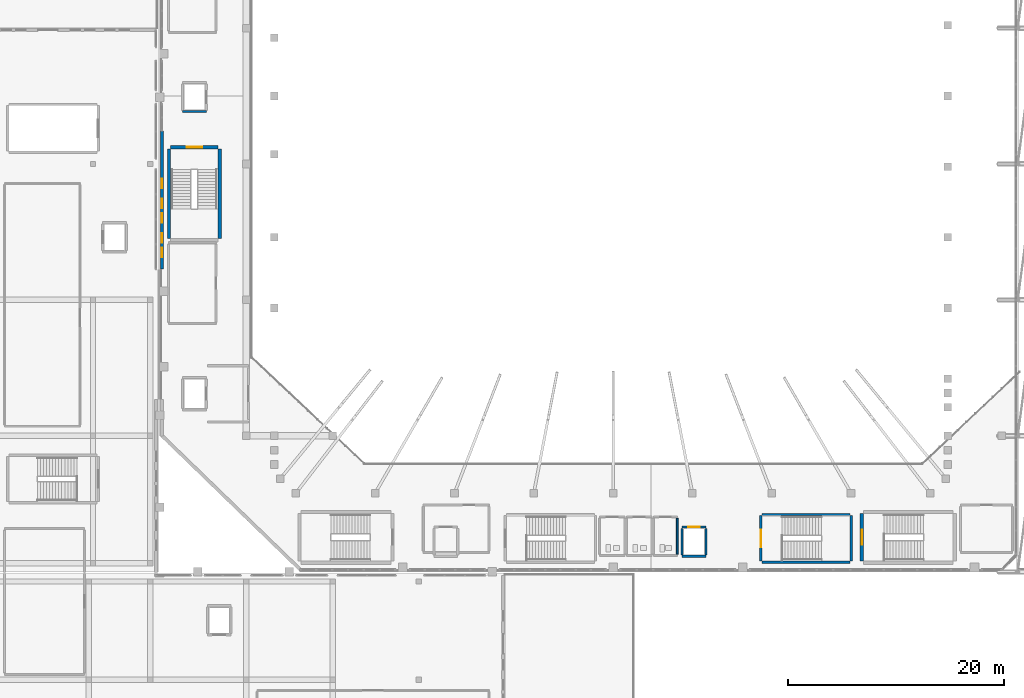
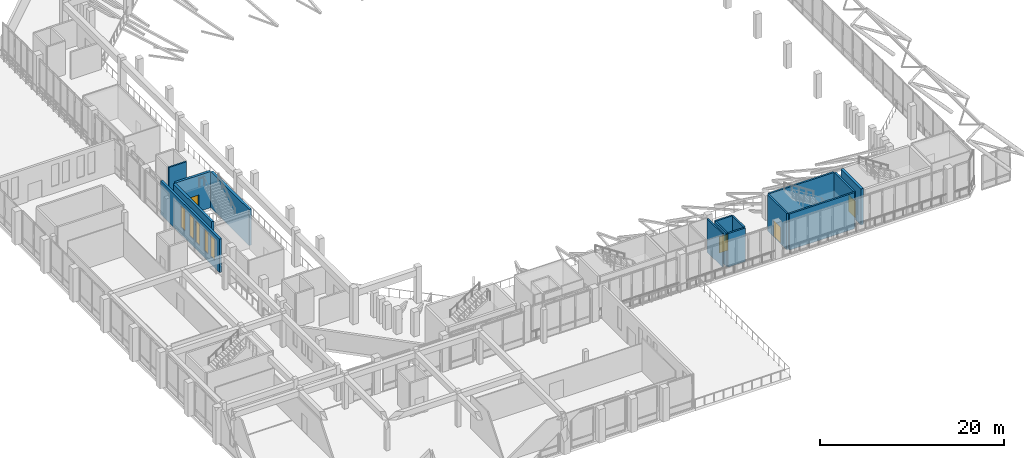
# One storey, part 57 of 79: 15 walls, 5 windows, 4 doors, 9 openings.
"""IFC4 building model written with IfcOpenShell, lengths in metres."""

from ifc_helpers import new_model, si_unit, derived_unit, direction, frame, frame_2d, origin, place, context, subcontext, project, spatial, rectangle, extrude, material, layer, layer_set, type_object, element, fill, save


model = new_model("IFC4")

# Units and contexts
model_context = context("Model", 3, precision=1e-05, world=origin(), true_north=direction((0.0, 1.0)))
body_context = subcontext(model_context, "Body", "Model", "MODEL_VIEW")
ifc_project = project(units=[si_unit("LENGTHUNIT", "METRE"), si_unit("AREAUNIT", "SQUARE_METRE"), si_unit("VOLUMEUNIT", "CUBIC_METRE"), si_unit("PLANEANGLEUNIT", "RADIAN"), si_unit("MASSUNIT", "GRAM", prefix="KILO"), derived_unit("THERMALTRANSMITTANCEUNIT", [(si_unit("MASSUNIT", "GRAM", prefix="KILO"), 1), (si_unit("TIMEUNIT", "SECOND"), -3), (si_unit("THERMODYNAMICTEMPERATUREUNIT", "KELVIN"), -1)])], contexts=[model_context])

# Site, building, storey
site_placement = place(None, origin())
site = spatial("IfcSite", under=ifc_project, at=site_placement, CompositionType="ELEMENT")
building_placement = place(site_placement, origin())
building = spatial("IfcBuilding", under=site, at=building_placement, Name="Valcora Ridge Arena", CompositionType="ELEMENT")
storey_placement = place(building_placement, frame((0.0, 0.0, 16.199951171875)))
storey = spatial("IfcBuildingStorey", under=building, at=storey_placement, Name="L03", CompositionType="ELEMENT", Elevation=16.199951171875)

# Wall, openings, windows
ifc_material_1 = material(Name="Bush-hammered Andean travertine on concrete backup C40/50", Category="masonry")
ifc_layer_1 = layer(ifc_material_1, 0.280029296875, Name="Bush-hammered Andean travertine on concrete backup C40/50")
ifc_layer_set_1 = layer_set([ifc_layer_1], Name="Bush-hammered Andean travertine on concrete backup C40/50")
wall_type_1 = type_object("IfcWallType", Name="TY-WALL-EW-TRV-28-44", PredefinedType="STANDARD", material=ifc_layer_set_1)
wall_1_placement = place(storey_placement, frame((16.199951171875, 48.050048828125, 0.0), z_axis=(0.0, 0.0, 1.0), x_axis=(0.0, 1.0, 0.0)))
wall_1 = element("IfcWall", 1, at=wall_1_placement, inside=storey, type_object=wall_type_1, Name="EW-TRV-28-44 WAL-EW-0054", PredefinedType="STANDARD", context=body_context, shape_type="SweptSolid", body=[
    extrude(rectangle(XDim=12.800048828125, YDim=0.280029296875, at=frame_2d((6.39990234375, 0.0))), origin(), (0.0, 0.0, 1.0), 4.43994140625),
])
opening_1_placement = place(wall_1_placement, frame((1.10009765625, 0.0, 0.949951171875)))
opening_1 = element("IfcOpeningElement", 2, at=opening_1_placement, cuts=wall_1, Name="Opening W-GLAN-90X285", PredefinedType="OPENING", context=body_context, shape_type="SweptSolid", body=[
    extrude(rectangle(XDim=0.89990234375, YDim=2.85009765625, at=frame_2d((0.449951171875, 1.425048828125))), frame((0.0, 0.14990234375, 0.0), z_axis=(0.0, -1.0, 0.0), x_axis=(1.0, 0.0, 0.0)), (0.0, 0.0, 1.0), 0.300048828125),
])
opening_2_placement = place(wall_1_placement, frame((2.449951171875, 0.0, 0.949951171875)))
opening_2 = element("IfcOpeningElement", 3, at=opening_2_placement, cuts=wall_1, Name="Opening W-GLAN-90X285", PredefinedType="OPENING", context=body_context, shape_type="SweptSolid", body=[
    extrude(rectangle(XDim=0.89990234375, YDim=2.85009765625, at=frame_2d((0.449951171875, 1.425048828125))), frame((0.0, 0.14990234375, 0.0), z_axis=(0.0, -1.0, 0.0), x_axis=(1.0, 0.0, 0.0)), (0.0, 0.0, 1.0), 0.300048828125),
])
opening_3_placement = place(wall_1_placement, frame((4.300048828125, 0.0, 0.949951171875)))
opening_3 = element("IfcOpeningElement", 4, at=opening_3_placement, cuts=wall_1, Name="Opening W-GLAN-90X285", PredefinedType="OPENING", context=body_context, shape_type="SweptSolid", body=[
    extrude(rectangle(XDim=0.89990234375, YDim=2.85009765625, at=frame_2d((0.449951171875, 1.425048828125))), frame((0.0, 0.14990234375, 0.0), z_axis=(0.0, -1.0, 0.0), x_axis=(1.0, 0.0, 0.0)), (0.0, 0.0, 1.0), 0.300048828125),
])
opening_4_placement = place(wall_1_placement, frame((5.64990234375, 0.0, 0.949951171875)))
opening_4 = element("IfcOpeningElement", 5, at=opening_4_placement, cuts=wall_1, Name="Opening W-GLAN-90X285", PredefinedType="OPENING", context=body_context, shape_type="SweptSolid", body=[
    extrude(rectangle(XDim=0.89990234375, YDim=2.85009765625, at=frame_2d((0.449951171875, 1.425048828125))), frame((0.0, 0.14990234375, 0.0), z_axis=(0.0, -1.0, 0.0), x_axis=(1.0, 0.0, 0.0)), (0.0, 0.0, 1.0), 0.300048828125),
])
opening_5_placement = place(wall_1_placement, frame((7.5, 0.0, 0.949951171875)))
opening_5 = element("IfcOpeningElement", 6, at=opening_5_placement, cuts=wall_1, Name="Opening W-GLAN-90X285", PredefinedType="OPENING", context=body_context, shape_type="SweptSolid", body=[
    extrude(rectangle(XDim=0.89990234375, YDim=2.85009765625, at=frame_2d((0.449951171875, 1.425048828125))), frame((0.0, 0.14990234375, 0.0), z_axis=(0.0, -1.0, 0.0), x_axis=(1.0, 0.0, 0.0)), (0.0, 0.0, 1.0), 0.300048828125),
])
ifc_material_2 = material(Name="Low-iron solar-control double glazing SHGC 0.28", Category="glass")
window_type = type_object("IfcWindowType", Name="TY-WINDOW-W-GLAN-90X285", PartitioningType="DOUBLE_PANEL_VERTICAL", PredefinedType="WINDOW", material=ifc_material_2)
window_1_placement = place(opening_1_placement, origin())
window_1 = element("IfcWindow", 7, at=window_1_placement, inside=storey, type_object=window_type, Name="W-GLAN-90X285 WIN-EX-0127", OverallHeight=2.85009765625, OverallWidth=0.89990234375, PartitioningType="DOUBLE_PANEL_VERTICAL", PredefinedType="WINDOW", context=body_context, shape_type="SweptSolid", body=[
    extrude(rectangle(XDim=0.89990234375, YDim=2.85009765625, at=frame_2d((0.449951171875, 1.425048828125))), frame((0.0, 0.030029296875, 0.0), z_axis=(0.0, -1.0, 0.0), x_axis=(1.0, 0.0, 0.0)), (0.0, 0.0, 1.0), 0.06005859375),
])
fill(opening_1, window_1)
window_2_placement = place(opening_2_placement, origin())
window_2 = element("IfcWindow", 8, at=window_2_placement, inside=storey, type_object=window_type, Name="W-GLAN-90X285 WIN-EX-0128", OverallHeight=2.85009765625, OverallWidth=0.89990234375, PartitioningType="DOUBLE_PANEL_VERTICAL", PredefinedType="WINDOW", context=body_context, shape_type="SweptSolid", body=[
    extrude(rectangle(XDim=0.89990234375, YDim=2.85009765625, at=frame_2d((0.449951171875, 1.425048828125))), frame((0.0, 0.030029296875, 0.0), z_axis=(0.0, -1.0, 0.0), x_axis=(1.0, 0.0, 0.0)), (0.0, 0.0, 1.0), 0.06005859375),
])
fill(opening_2, window_2)
window_3_placement = place(opening_3_placement, origin())
window_3 = element("IfcWindow", 9, at=window_3_placement, inside=storey, type_object=window_type, Name="W-GLAN-90X285 WIN-EX-0129", OverallHeight=2.85009765625, OverallWidth=0.89990234375, PartitioningType="DOUBLE_PANEL_VERTICAL", PredefinedType="WINDOW", context=body_context, shape_type="SweptSolid", body=[
    extrude(rectangle(XDim=0.89990234375, YDim=2.85009765625, at=frame_2d((0.449951171875, 1.425048828125))), frame((0.0, 0.030029296875, 0.0), z_axis=(0.0, -1.0, 0.0), x_axis=(1.0, 0.0, 0.0)), (0.0, 0.0, 1.0), 0.06005859375),
])
fill(opening_3, window_3)
window_4_placement = place(opening_4_placement, origin())
window_4 = element("IfcWindow", 10, at=window_4_placement, inside=storey, type_object=window_type, Name="W-GLAN-90X285 WIN-EX-0130", OverallHeight=2.85009765625, OverallWidth=0.89990234375, PartitioningType="DOUBLE_PANEL_VERTICAL", PredefinedType="WINDOW", context=body_context, shape_type="SweptSolid", body=[
    extrude(rectangle(XDim=0.89990234375, YDim=2.85009765625, at=frame_2d((0.449951171875, 1.425048828125))), frame((0.0, 0.030029296875, 0.0), z_axis=(0.0, -1.0, 0.0), x_axis=(1.0, 0.0, 0.0)), (0.0, 0.0, 1.0), 0.06005859375),
])
fill(opening_4, window_4)
window_5_placement = place(opening_5_placement, origin())
window_5 = element("IfcWindow", 11, at=window_5_placement, inside=storey, type_object=window_type, Name="W-GLAN-90X285 WIN-EX-0131", OverallHeight=2.85009765625, OverallWidth=0.89990234375, PartitioningType="DOUBLE_PANEL_VERTICAL", PredefinedType="WINDOW", context=body_context, shape_type="SweptSolid", body=[
    extrude(rectangle(XDim=0.89990234375, YDim=2.85009765625, at=frame_2d((0.449951171875, 1.425048828125))), frame((0.0, 0.030029296875, 0.0), z_axis=(0.0, -1.0, 0.0), x_axis=(1.0, 0.0, 0.0)), (0.0, 0.0, 1.0), 0.06005859375),
])
fill(opening_5, window_5)

# Walls
ifc_material_3 = material(Name="Fire-rated masonry-core compartment wall C35/45 150 mm", Category="masonry")
ifc_layer_2 = layer(ifc_material_3, 0.14990234375, Name="Fire-rated masonry-core compartment wall C35/45 150 mm")
ifc_layer_set_2 = layer_set([ifc_layer_2], Name="Fire-rated masonry-core compartment wall C35/45 150 mm")
wall_type_2 = type_object("IfcWallType", Name="TY-WALL-IW-COMP-150", PredefinedType="STANDARD", material=ifc_layer_set_2)
wall_2_placement = place(storey_placement, frame((63.949951171875, 21.64990234375, 0.0), z_axis=(0.0, 0.0, 1.0), x_axis=(0.0, 1.0, 0.0)))
element("IfcWall", 12, at=wall_2_placement, inside=storey, type_object=wall_type_2, Name="IW-COMP-150 WAL-IN-0142", PredefinedType="STANDARD", context=body_context, shape_type="SweptSolid", body=[
    extrude(rectangle(XDim=3.300048828125, YDim=0.14990234375, at=frame_2d((1.64990234375, 0.0))), origin(), (0.0, 0.0, 1.0), 4.43994140625),
])
ifc_material_4 = material(Name="Concrete C40/50", Category="concrete")
ifc_layer_3 = layer(ifc_material_4, 0.199951171875, Name="Concrete C40/50")
ifc_layer_set_3 = layer_set([ifc_layer_3], Name="Concrete C40/50")
wall_type_3 = type_object("IfcWallType", Name="TY-WALL-IW-SHF-200", PredefinedType="STANDARD", material=ifc_layer_set_3)
wall_3_placement = place(storey_placement, frame((64.39990234375, 21.449951171875, 0.0), z_axis=(0.0, 0.0, 1.0), x_axis=(1.0, 0.0, 0.0)))
element("IfcWall", 13, at=wall_3_placement, inside=storey, type_object=wall_type_3, Name="IW-SHF-200 WAL-SH-0097", PredefinedType="STANDARD", context=body_context, shape_type="SweptSolid", body=[
    extrude(rectangle(XDim=2.2001953125, YDim=0.199951171875, at=frame_2d((1.10009765625, 0.0))), origin(), (0.0, 0.0, 1.0), 4.43994140625),
])

# Wall, opening, door
wall_4_placement = place(storey_placement, frame((64.39990234375, 24.14990234375, 0.0), z_axis=(0.0, 0.0, 1.0), x_axis=(1.0, 0.0, 0.0)))
wall_4 = element("IfcWall", 14, at=wall_4_placement, inside=storey, type_object=wall_type_3, Name="IW-SHF-200 WAL-SH-0098", PredefinedType="STANDARD", context=body_context, shape_type="SweptSolid", body=[
    extrude(rectangle(XDim=2.2001953125, YDim=0.199951171875, at=frame_2d((1.10009765625, 0.0))), origin(), (0.0, 0.0, 1.0), 4.43994140625),
])
opening_6_placement = place(wall_4_placement, frame((0.550048828125, 0.0, 0.0)))
opening_6 = element("IfcOpeningElement", 15, at=opening_6_placement, cuts=wall_4, Name="Opening LD-PAX", PredefinedType="OPENING", context=body_context, shape_type="SweptSolid", body=[
    extrude(rectangle(XDim=1.10009765625, YDim=2.14990234375, at=frame_2d((0.550048828125, 1.074951171875))), frame((0.0, 0.10986328125, 0.0), z_axis=(0.0, -1.0, 0.0), x_axis=(1.0, 0.0, 0.0)), (0.0, 0.0, 1.0), 0.219970703125),
])
ifc_material_5 = material(Name="Insulated fire-rated hollow metal steel", Category="steel")
door_type_1 = type_object("IfcDoorType", Name="TY-DOOR-LD-PAX", OperationType="NOTDEFINED", PredefinedType="DOOR", material=ifc_material_5)
door_1_placement = place(opening_6_placement, origin())
door_1 = element("IfcDoor", 16, at=door_1_placement, inside=storey, type_object=door_type_1, Name="PL2 Landing Door L03", OperationType="SLIDING_TO_LEFT", OverallHeight=2.14990234375, OverallWidth=1.10009765625, PredefinedType="DOOR", context=body_context, shape_type="SweptSolid", body=[
    extrude(rectangle(XDim=1.10009765625, YDim=2.14990234375, at=frame_2d((0.550048828125, 1.074951171875))), frame((0.0, 0.02490234375, 0.0), z_axis=(0.0, -1.0, 0.0), x_axis=(1.0, 0.0, 0.0)), (0.0, 0.0, 1.0), 0.050048828125),
])
fill(opening_6, door_1)

# Walls
for number, where, z_axis, x_axis, name in (
    (17, (64.39990234375, 21.570068359375, 0.0), (0.0, 0.0, 1.0), (0.0, 1.0, 0.0), "IW-SHF-200 WAL-SH-0099"),
    (18, (66.60009765625, 21.570068359375, 0.0), (0.0, 0.0, 1.0), (0.0, 1.0, 0.0), "IW-SHF-200 WAL-SH-0100"),
):
    element("IfcWall", number, at=place(storey_placement, frame(where, z_axis=z_axis, x_axis=x_axis)), inside=storey, type_object=wall_type_3, Name=name, PredefinedType="STANDARD", context=body_context, shape_type="SweptSolid", body=[
        extrude(rectangle(XDim=2.4599609375, YDim=0.199951171875, at=frame_2d((1.22998046875, 0.0))), origin(), (0.0, 0.0, 1.0), 4.43994140625),
    ])
wall_5_placement = place(storey_placement, frame((18.10009765625, 62.64990234375, 0.0), z_axis=(0.0, 0.0, 1.0), x_axis=(1.0, 0.0, 0.0)))
element("IfcWall", 19, at=wall_5_placement, inside=storey, type_object=wall_type_3, Name="IW-SHF-200 WAL-SH-0221", PredefinedType="STANDARD", context=body_context, shape_type="SweptSolid", body=[
    extrude(rectangle(XDim=2.199951171875, YDim=0.199951171875, at=frame_2d((1.10009765625, 0.0))), origin(), (0.0, 0.0, 1.0), 4.43994140625),
])
ifc_material_6 = material(Name="Concrete C45/55", Category="concrete")
ifc_layer_4 = layer(ifc_material_6, 0.300048828125, Name="Concrete C45/55")
ifc_layer_set_4 = layer_set([ifc_layer_4], Name="Concrete C45/55")
wall_type_4 = type_object("IfcWallType", Name="TY-WALL-SW-C300-L", PredefinedType="SHEAR", material=ifc_layer_set_4)
for number, where, z_axis, x_axis, name in (
    (20, (16.85009765625, 50.8798828125, 0.0), (0.0, 0.0, 1.0), (0.0, 1.0, 0.0), "SW-C300-L WAL-CR-0123"),
    (21, (21.550048828125, 50.8798828125, 0.0), (0.0, 0.0, 1.0), (0.0, 1.0, 0.0), "SW-C300-L WAL-CR-0124"),
):
    element("IfcWall", number, at=place(storey_placement, frame(where, z_axis=z_axis, x_axis=x_axis)), inside=storey, type_object=wall_type_4, Name=name, PredefinedType="SHEAR", context=body_context, shape_type="SweptSolid", body=[
        extrude(rectangle(XDim=8.320068359375, YDim=0.300048828125, at=frame_2d((4.16015625, 0.0))), origin(), (0.0, 0.0, 1.0), 4.800048828125),
    ])

# Wall, opening, door
ifc_layer_5 = layer(ifc_material_6, 0.300048828125, Name="Concrete C45/55")
ifc_layer_set_5 = layer_set([ifc_layer_5], Name="Concrete C45/55")
wall_type_5 = type_object("IfcWallType", Name="TY-WALL-SW-C300-S", PredefinedType="SHEAR", material=ifc_layer_set_5)
wall_6_placement = place(storey_placement, frame((81.050048828125, 21.0, 0.0), z_axis=(0.0, 0.0, 1.0), x_axis=(0.0, 1.0, 0.0)))
wall_6 = element("IfcWall", 22, at=wall_6_placement, inside=storey, type_object=wall_type_5, Name="SW-C300-S WAL-CR-0047", PredefinedType="SHEAR", context=body_context, shape_type="SweptSolid", body=[
    extrude(rectangle(XDim=4.39990234375, YDim=0.300048828125, at=frame_2d((2.199951171875, 0.0))), origin(), (0.0, 0.0, 1.0), 4.800048828125),
])
opening_7_placement = place(wall_6_placement, frame((1.5, 0.0, 0.0)))
opening_7 = element("IfcOpeningElement", 23, at=opening_7_placement, cuts=wall_6, Name="Opening FD-01", PredefinedType="OPENING", context=body_context, shape_type="SweptSolid", body=[
    extrude(rectangle(XDim=1.39990234375, YDim=2.199951171875, at=frame_2d((0.699951171875, 1.10009765625))), frame((0.0, 0.159912109375, 0.0), z_axis=(0.0, -1.0, 0.0), x_axis=(1.0, 0.0, 0.0)), (0.0, 0.0, 1.0), 0.320068359375),
])
ifc_material_7 = material(Name="Insulated fire-rated steel door leaf", Category="steel")
door_type_2 = type_object("IfcDoorType", Name="TY-DOOR-FD-01", OperationType="NOTDEFINED", PredefinedType="DOOR", material=ifc_material_7)
door_2_placement = place(opening_7_placement, origin())
door_2 = element("IfcDoor", 24, at=door_2_placement, inside=storey, type_object=door_type_2, Name="FD-01 DOR-ST-0012", OperationType="DOUBLE_DOOR_SINGLE_SWING", OverallHeight=2.199951171875, OverallWidth=1.39990234375, PredefinedType="DOOR", context=body_context, shape_type="SweptSolid", body=[
    extrude(rectangle(XDim=1.39990234375, YDim=2.199951171875, at=frame_2d((0.699951171875, 1.10009765625))), frame((0.0, 0.02490234375, 0.0), z_axis=(0.0, -1.0, 0.0), x_axis=(1.0, 0.0, 0.0)), (0.0, 0.0, 1.0), 0.050048828125),
])
fill(opening_7, door_2)

wall_7_placement = place(storey_placement, frame((17.0, 59.35009765625, 0.0), z_axis=(0.0, 0.0, 1.0), x_axis=(1.0, 0.0, 0.0)))
wall_7 = element("IfcWall", 25, at=wall_7_placement, inside=storey, type_object=wall_type_5, Name="SW-C300-S WAL-CR-0122", PredefinedType="SHEAR", context=body_context, shape_type="SweptSolid", body=[
    extrude(rectangle(XDim=4.39990234375, YDim=0.300048828125, at=frame_2d((2.199951171875, 0.0))), origin(), (0.0, 0.0, 1.0), 4.800048828125),
])
opening_8_placement = place(wall_7_placement, frame((1.5, 0.0, 0.0)))
opening_8 = element("IfcOpeningElement", 26, at=opening_8_placement, cuts=wall_7, Name="Opening FD-01", PredefinedType="OPENING", context=body_context, shape_type="SweptSolid", body=[
    extrude(rectangle(XDim=1.39990234375, YDim=2.199951171875, at=frame_2d((0.699951171875, 1.10009765625))), frame((0.0, 0.159912109375, 0.0), z_axis=(0.0, -1.0, 0.0), x_axis=(1.0, 0.0, 0.0)), (0.0, 0.0, 1.0), 0.320068359375),
])
door_3_placement = place(opening_8_placement, origin())
door_3 = element("IfcDoor", 27, at=door_3_placement, inside=storey, type_object=door_type_2, Name="FD-01 DOR-ST-0031", OperationType="DOUBLE_DOOR_SINGLE_SWING", OverallHeight=2.199951171875, OverallWidth=1.39990234375, PredefinedType="DOOR", context=body_context, shape_type="SweptSolid", body=[
    extrude(rectangle(XDim=1.39990234375, YDim=2.199951171875, at=frame_2d((0.699951171875, 1.10009765625))), frame((0.0, 0.02490234375, 0.0), z_axis=(0.0, -1.0, 0.0), x_axis=(1.0, 0.0, 0.0)), (0.0, 0.0, 1.0), 0.050048828125),
])
fill(opening_8, door_3)

# Walls
ifc_material_8 = material(Name="Fire-resisting reinforced concrete enclosure C40/50 200 mm", Category="concrete")
ifc_layer_6 = layer(ifc_material_8, 0.219970703125, Name="Fire-resisting reinforced concrete enclosure C40/50 200 mm")
ifc_layer_set_6 = layer_set([ifc_layer_6], Name="Fire-resisting reinforced concrete enclosure C40/50 200 mm")
wall_type_6 = type_object("IfcWallType", Name="TY-WALL-SW-ES-220", PredefinedType="SHEAR", material=ifc_layer_set_6)
for number, where, z_axis, x_axis, name in (
    (28, (71.800048828125, 20.889892578125, 0.0), (0.0, 0.0, 1.0), (1.0, 0.0, 0.0), "SW-ES-220 WAL-ES-0041"),
    (29, (71.800048828125, 25.31005859375, 0.0), (0.0, 0.0, 1.0), (1.0, 0.0, 0.0), "SW-ES-220 WAL-ES-0042"),
):
    element("IfcWall", number, at=place(storey_placement, frame(where, z_axis=z_axis, x_axis=x_axis)), inside=storey, type_object=wall_type_6, Name=name, PredefinedType="SHEAR", context=body_context, shape_type="SweptSolid", body=[
        extrude(rectangle(XDim=8.159912109375, YDim=0.219970703125, at=frame_2d((4.080078125, 0.0))), origin(), (0.0, 0.0, 1.0), 4.800048828125),
    ])

# Wall, opening, door
wall_8_placement = place(storey_placement, frame((71.68994140625, 21.0, 0.0), z_axis=(0.0, 0.0, 1.0), x_axis=(0.0, 1.0, 0.0)))
wall_8 = element("IfcWall", 30, at=wall_8_placement, inside=storey, type_object=wall_type_6, Name="SW-ES-220 WAL-ES-0043", PredefinedType="SHEAR", context=body_context, shape_type="SweptSolid", body=[
    extrude(rectangle(XDim=4.199951171875, YDim=0.219970703125, at=frame_2d((2.10009765625, 0.0))), origin(), (0.0, 0.0, 1.0), 4.800048828125),
])
opening_9_placement = place(wall_8_placement, frame((1.300048828125, 0.0, 0.0)))
opening_9 = element("IfcOpeningElement", 31, at=opening_9_placement, cuts=wall_8, Name="Opening FD-02", PredefinedType="OPENING", context=body_context, shape_type="SweptSolid", body=[
    extrude(rectangle(XDim=1.60009765625, YDim=2.199951171875, at=frame_2d((0.800048828125, 1.10009765625))), frame((0.0, 0.119873046875, 0.0), z_axis=(0.0, -1.0, 0.0), x_axis=(1.0, 0.0, 0.0)), (0.0, 0.0, 1.0), 0.239990234375),
])
door_type_3 = type_object("IfcDoorType", Name="TY-DOOR-FD-02", OperationType="NOTDEFINED", PredefinedType="DOOR", material=ifc_material_7)
door_4_placement = place(opening_9_placement, origin())
door_4 = element("IfcDoor", 32, at=door_4_placement, inside=storey, type_object=door_type_3, Name="FD-02 DOR-ES-0009", OperationType="DOUBLE_DOOR_SINGLE_SWING", OverallHeight=2.199951171875, OverallWidth=1.60009765625, PredefinedType="DOOR", context=body_context, shape_type="SweptSolid", body=[
    extrude(rectangle(XDim=1.60009765625, YDim=2.199951171875, at=frame_2d((0.800048828125, 1.10009765625))), frame((0.0, 0.02490234375, 0.0), z_axis=(0.0, -1.0, 0.0), x_axis=(1.0, 0.0, 0.0)), (0.0, 0.0, 1.0), 0.050048828125),
])
fill(opening_9, door_4)

# Wall
wall_9_placement = place(storey_placement, frame((80.070068359375, 21.0, 0.0), z_axis=(0.0, 0.0, 1.0), x_axis=(0.0, 1.0, 0.0)))
element("IfcWall", 33, at=wall_9_placement, inside=storey, type_object=wall_type_6, Name="SW-ES-220 WAL-ES-0044", PredefinedType="SHEAR", context=body_context, shape_type="SweptSolid", body=[
    extrude(rectangle(XDim=4.199951171875, YDim=0.219970703125, at=frame_2d((2.10009765625, 0.0))), origin(), (0.0, 0.0, 1.0), 4.800048828125),
])

save(model, "model.ifc")
